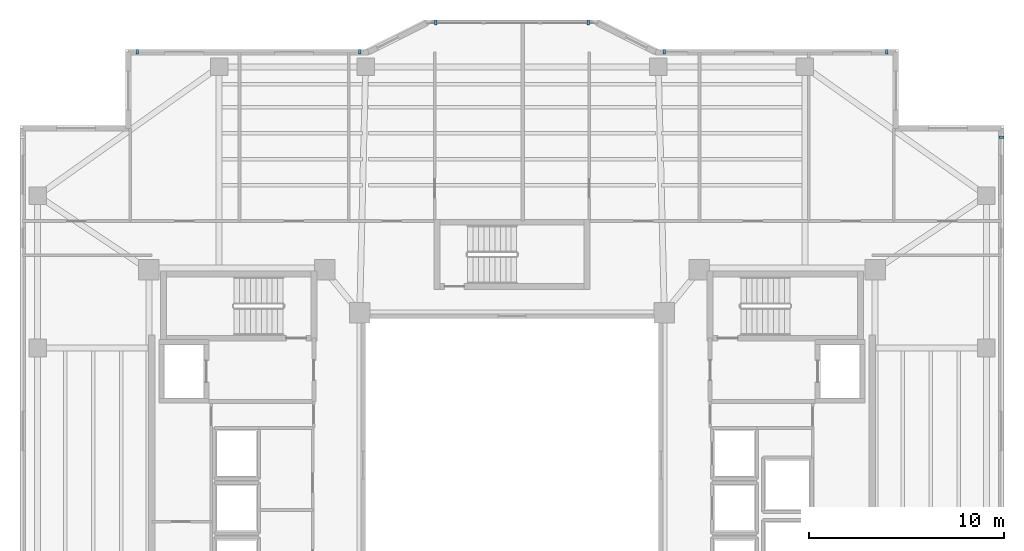
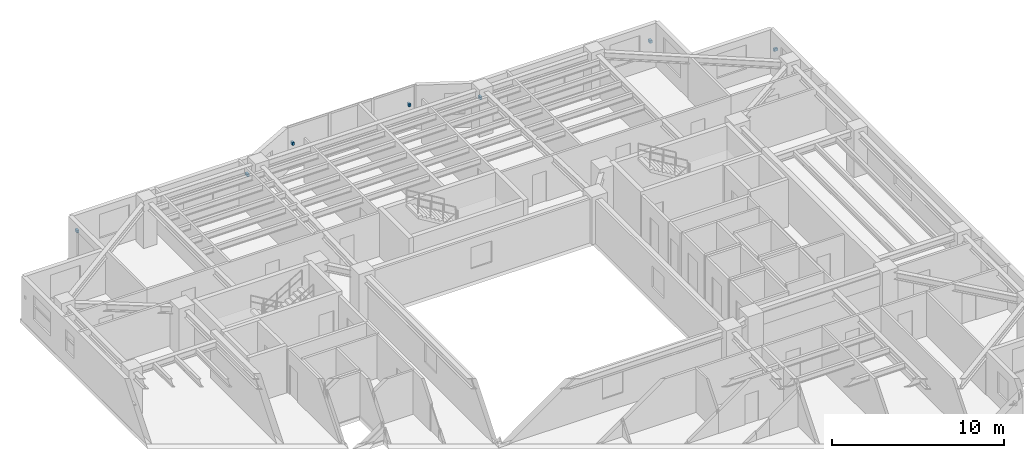
# One storey, part 12 of 15: 7 discrete accessories.
"""IFC4 building model written with IfcOpenShell, lengths in metres."""

import ifcopenshell
import ifcopenshell.guid

model = None  # the IFC model being written
_history = None  # IfcOwnerHistory: only IFC2X3 demands one
_inside = {}  # id of a spatial element -> (the spatial element, [elements in it])
_under = {}  # id of a project, library or spatial element -> (it, [spatial elements below it])
_declared = {}  # id of a project -> (the project, [libraries it declares])
_typed = {}  # id of a type object -> (the type object, [elements of that type])
_made_of = {}  # id of a material, layer set ... -> (it, [elements and type objects made of it])


def new_model(schema):
    """Start an empty IFC model of exactly this schema.

    Asked for "IFC4X3", IfcOpenShell would pick the latest addendum, in which some entities
    have other attributes; the version numbers below select the first issue.
    IFC2X3 requires an IfcOwnerHistory on every rooted entity: one is made here for all.
    """
    global model, _history
    if schema == "IFC4X3":
        model = ifcopenshell.file(schema_version=(4, 3, 0, 0))
    else:
        model = ifcopenshell.file(schema=schema)
    _inside.clear()
    _under.clear()
    _declared.clear()
    _typed.clear()
    _made_of.clear()
    _history = None
    if model.schema == "IFC2X3":
        org = make("IfcOrganization", Name="unknown")
        user = make(
            "IfcPersonAndOrganization",
            ThePerson=make("IfcPerson", FamilyName="unknown"),
            TheOrganization=org,
        )
        app = make(
            "IfcApplication",
            ApplicationDeveloper=org,
            Version="unknown",
            ApplicationFullName="unknown",
            ApplicationIdentifier="unknown",
        )
        _history = make(
            "IfcOwnerHistory",
            OwningUser=user,
            OwningApplication=app,
            ChangeAction="ADDED",
            CreationDate=0,
        )
    return model


def make(cls, **values):
    """One entity of the class cls with the attributes given. An attribute that is None is left unset."""
    return model.create_entity(
        cls, **{name: value for name, value in values.items() if value is not None}
    )


def rooted(cls, **values):
    """An entity with a GlobalId (a new one), such as an element, a storey or a relation."""
    return make(cls, GlobalId=ifcopenshell.guid.new(), OwnerHistory=_history, **values)


def si_unit(unit_type, name, prefix=None):
    """IfcSIUnit, for example si_unit("LENGTHUNIT", "METRE", prefix="MILLI")."""
    return make("IfcSIUnit", UnitType=unit_type, Prefix=prefix, Name=name)


def assignment(units):
    """IfcUnitAssignment: the units of a project."""
    return None if units is None else make("IfcUnitAssignment", Units=units)


def point(xyz):
    """IfcCartesianPoint."""
    return None if xyz is None else make("IfcCartesianPoint", Coordinates=xyz)


def direction(xyz):
    """IfcDirection."""
    return None if xyz is None else make("IfcDirection", DirectionRatios=xyz)


def frame(location, z_axis=None, x_axis=None):
    """IfcAxis2Placement3D, a coordinate frame: its origin and axes. An axis left out is left unset."""
    return make(
        "IfcAxis2Placement3D",
        Location=point(location),
        Axis=direction(z_axis),
        RefDirection=direction(x_axis),
    )


def frame_2d(location, x_axis=None):
    """IfcAxis2Placement2D, a coordinate frame in the plane: its origin and x axis."""
    return make(
        "IfcAxis2Placement2D", Location=point(location), RefDirection=direction(x_axis)
    )


def origin():
    """The frame at (0, 0, 0) with its axes left unset."""
    return frame((0.0, 0.0, 0.0))


def origin_2d():
    """The frame at (0, 0) in the plane with its x axis left unset."""
    return frame_2d((0.0, 0.0))


def place(relative_to, where):
    """IfcLocalPlacement: puts the frame where relative to a parent placement (None: the world)."""
    return make(
        "IfcLocalPlacement", PlacementRelTo=relative_to, RelativePlacement=where
    )


def context(
    kind, dimensions, precision=None, world=None, true_north=None, identifier=None
):
    """IfcGeometricRepresentationContext, for example the 3D "Model" context."""
    return make(
        "IfcGeometricRepresentationContext",
        ContextIdentifier=identifier,
        ContextType=kind,
        CoordinateSpaceDimension=dimensions,
        Precision=precision,
        WorldCoordinateSystem=world,
        TrueNorth=true_north,
    )


def subcontext(parent, identifier, kind, view, scale=None):
    """IfcGeometricRepresentationSubContext, for example "Body" below "Model"."""
    return make(
        "IfcGeometricRepresentationSubContext",
        ContextIdentifier=identifier,
        ContextType=kind,
        ParentContext=parent,
        TargetScale=scale,
        TargetView=view,
    )


def project(units=None, contexts=None):
    """IfcProject with its units and contexts."""
    return rooted(
        "IfcProject",
        Name="project",
        RepresentationContexts=contexts,
        UnitsInContext=assignment(units),
    )


def spatial(cls, under=None, at=None, **own):
    """A site, building, storey or space (cls), placed at a placement, below another one or the project."""
    s = rooted(cls, ObjectPlacement=at, **own)
    if under is not None:
        _under.setdefault(under.id(), (under, []))[1].append(s)
    return s


def profile(cls, at=None, kind="AREA", **sizes):
    """A parametric profile (cls). Its sizes go by their IFC names, for example OverallWidth=200.0."""
    return make(cls, ProfileType=kind, Position=at, **sizes)


def rectangle(**sizes):
    """IfcRectangleProfileDef."""
    return profile("IfcRectangleProfileDef", **sizes)


def extrude(swept, where, along, depth):
    """IfcExtrudedAreaSolid: the profile swept, set in the frame where, extruded along a direction by depth."""
    return make(
        "IfcExtrudedAreaSolid",
        SweptArea=swept,
        Position=where,
        ExtrudedDirection=direction(along),
        Depth=depth,
    )


def shape(context_of_items, identifier, shape_type, items):
    """IfcShapeRepresentation: the items that make up one representation, for example the "Body"."""
    return make(
        "IfcShapeRepresentation",
        ContextOfItems=context_of_items,
        RepresentationIdentifier=identifier,
        RepresentationType=shape_type,
        Items=items,
    )


def material(Name=None, Category=None):
    """IfcMaterial."""
    return make("IfcMaterial", Name=Name, Category=Category)


def made_of(thing, what):
    """Note that an element or type object is made of a material, layer set ...; save() writes the relation."""
    if what is not None:
        _made_of.setdefault(what.id(), (what, []))[1].append(thing)
    return thing


def type_object(cls, material=None, **own):
    """A type object (cls), such as IfcWallType, which elements share."""
    return made_of(rooted(cls, **own), material)


def element(
    cls,
    number,
    at=None,
    inside=None,
    cuts=None,
    type_object=None,
    material=None,
    context=None,
    identifier="Body",
    shape_type=None,
    held_by="IfcProductDefinitionShape",
    body=None,
    shapes=None,
    **own,
):
    """One element of the class cls, such as IfcWall. Its Tag is "e" and its number.

    at: its placement. inside: the storey or other place that contains it. cuts: it is an
    opening in that element (IfcRelVoidsElement). A single representation is given by context,
    identifier, shape_type and body (its items); several are given by shapes. held_by: the class
    of the entity that holds the representations. save() writes the other relations.
    """
    e = rooted(cls, Tag="e%d" % number, ObjectPlacement=at, **own)
    if body is not None:
        shapes = [shape(context, identifier, shape_type, body)]
    if shapes is not None:
        e.Representation = make(held_by, Representations=shapes)
    if inside is not None:
        _inside.setdefault(inside.id(), (inside, []))[1].append(e)
    if cuts is not None:
        rooted(
            "IfcRelVoidsElement", RelatingBuildingElement=cuts, RelatedOpeningElement=e
        )
    if type_object is not None:
        _typed.setdefault(type_object.id(), (type_object, []))[1].append(e)
    return made_of(e, material)


def aggregate(whole, parts):
    """IfcRelAggregates: a whole, such as a stair, and the parts it consists of."""
    return rooted("IfcRelAggregates", RelatingObject=whole, RelatedObjects=parts)


def save(model, path):
    """Write the relations noted so far, then the file.

    IfcRelAggregates (storeys below a building ...), IfcRelContainedInSpatialStructure (elements
    in a storey), IfcRelDefinesByType, IfcRelAssociatesMaterial and IfcRelDeclares: one each for
    every whole, place, type object, material and project.
    """
    for whole, parts in _under.values():
        aggregate(whole, parts)
    for where, things in _inside.values():
        rooted(
            "IfcRelContainedInSpatialStructure",
            RelatedElements=things,
            RelatingStructure=where,
        )
    for kind, things in _typed.values():
        rooted("IfcRelDefinesByType", RelatedObjects=things, RelatingType=kind)
    for what, things in _made_of.values():
        rooted("IfcRelAssociatesMaterial", RelatedObjects=things, RelatingMaterial=what)
    for by, libraries in _declared.values():
        rooted("IfcRelDeclares", RelatingContext=by, RelatedDefinitions=libraries)
    model.write(path)


model = new_model("IFC4")

# Units and contexts
model_context = context("Model", 3, precision=1e-05, world=origin(), true_north=direction((0.0, 1.0)))
body_context = subcontext(model_context, "Body", "Model", "MODEL_VIEW")
ifc_project = project(units=[si_unit("LENGTHUNIT", "METRE"), si_unit("AREAUNIT", "SQUARE_METRE"), si_unit("VOLUMEUNIT", "CUBIC_METRE"), si_unit("PLANEANGLEUNIT", "RADIAN"), si_unit("MASSUNIT", "GRAM", prefix="KILO")], contexts=[model_context])

# Site, building, storey
site_placement = place(None, origin())
site = spatial("IfcSite", under=ifc_project, at=site_placement, CompositionType="ELEMENT")
building_placement = place(site_placement, origin())
building = spatial("IfcBuilding", under=site, at=building_placement, Name="Tarnavaz Court Tower", CompositionType="ELEMENT")
storey_placement = place(building_placement, frame((0.0, 0.0, 139.300048828125)))
storey = spatial("IfcBuildingStorey", under=building, at=storey_placement, Name="L37", CompositionType="ELEMENT", Elevation=139.300048828125)

# Discrete accessories
ifc_material = material(Name="Anodised Aluminium 6063-T6", Category="aluminium")
discrete_accessory_type = type_object("IfcDiscreteAccessoryType", Name="DA-BRKT-ALU", PredefinedType="BRACKET", material=ifc_material)
for number, where, z_axis, x_axis, name in (
    (1, (-19.199951171875, 21.169921875, 1.75), (0.0, 0.0, 1.0), (1.0, 0.0, 0.0), "L37 Baguette Outrigger Bracket FBG05-1"),
    (2, (-7.800048828125, 21.169921875, 1.75), (0.0, 0.0, 1.0), (1.0, 0.0, 0.0), "L37 Baguette Outrigger Bracket FBG05-2"),
    (3, (-3.89990234375, 22.669921875, 1.7001953125), (0.0, 0.0, 1.0), (1.0, 0.0, 0.0), "L37 Baguette Outrigger Bracket PBG7-1"),
    (4, (3.89990234375, 22.669921875, 1.7001953125), (0.0, 0.0, 1.0), (1.0, 0.0, 0.0), "L37 Baguette Outrigger Bracket PBG7-2"),
    (5, (7.800048828125, 21.169921875, 1.75), (0.0, 0.0, 1.0), (1.0, 0.0, 0.0), "L37 Baguette Outrigger Bracket FBG09-1"),
    (6, (19.199951171875, 21.169921875, 1.75), (0.0, 0.0, 1.0), (1.0, 0.0, 0.0), "L37 Baguette Outrigger Bracket FBG09-2"),
    (7, (25.070068359375, 16.800048828125, 1.75), (0.0, 0.0, 1.0), (0.0, -1.0, 0.0), "L37 Baguette Outrigger Bracket FBG12-1"),
):
    element("IfcDiscreteAccessory", number, at=place(storey_placement, frame(where, z_axis=z_axis, x_axis=x_axis)), inside=storey, type_object=discrete_accessory_type, Name=name, PredefinedType="BRACKET", context=body_context, shape_type="SweptSolid", body=[
        extrude(rectangle(XDim=0.139892578125, YDim=0.239990234375, at=origin_2d()), origin(), (0.0, 0.0, 1.0), 0.199951171875),
    ])

save(model, "model.ifc")
